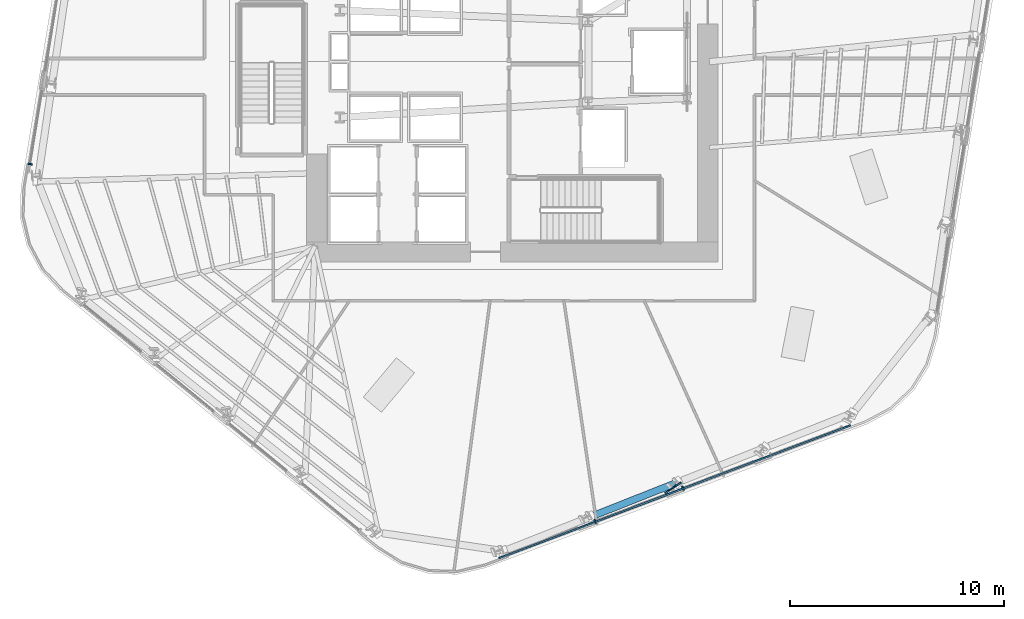
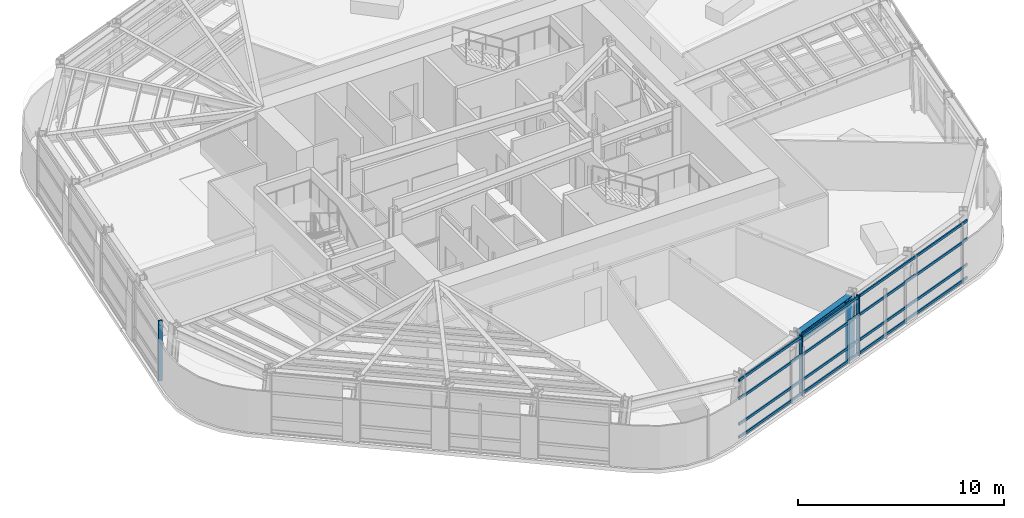
# One storey, part 3 of 18: 8 members, 1 beam, 2 elements without a shape of their own.
"""IFC4 building model written with IfcOpenShell, lengths in metres."""

from ifc_helpers import new_model, si_unit, direction, frame, origin, origin_2d, place, context, subcontext, project, spatial, rectangle, i_section, extrude, material, layer, layer_set, material_profile, profile_set, type_object, element, aggregate, save


model = new_model("IFC4")

# Units and contexts
model_context = context("Model", 3, precision=1e-05, world=origin(), true_north=direction((0.0, 1.0)))
body_context = subcontext(model_context, "Body", "Model", "MODEL_VIEW")
ifc_project = project(units=[si_unit("LENGTHUNIT", "METRE"), si_unit("AREAUNIT", "SQUARE_METRE"), si_unit("VOLUMEUNIT", "CUBIC_METRE"), si_unit("PLANEANGLEUNIT", "RADIAN"), si_unit("MASSUNIT", "GRAM", prefix="KILO")], contexts=[model_context])

# Site, building, storey
site_placement = place(None, origin())
site = spatial("IfcSite", under=ifc_project, at=site_placement, CompositionType="ELEMENT")
building_placement = place(site_placement, origin())
building = spatial("IfcBuilding", under=site, at=building_placement, Name="Valkerne Bourse Tower", CompositionType="ELEMENT")
storey_placement = place(building_placement, frame((0.0, 0.0, 112.39990234375)))
storey = spatial("IfcBuildingStorey", under=building, at=storey_placement, Name="L28", CompositionType="ELEMENT", Elevation=112.39990234375)

# Beam
ifc_material_1 = material(Name="Steel ASTM A992", Category="steel")
ifc_material_profile_1 = material_profile(ifc_material_1, i_section(OverallWidth=0.330078125, OverallDepth=0.647705078125, WebThickness=0.0205078125, FlangeThickness=0.037109375, FilletRadius=0.020263671875, at=origin_2d()), Name="W24X192")
ifc_profile_set_1 = profile_set([ifc_material_profile_1], Name="Steel ASTM A992")
beam_type = type_object("IfcBeamType", Name="BM-W24X192", PredefinedType="SPANDREL", material=ifc_profile_set_1)
beam_placement = place(storey_placement, frame((50.645751953125, 5.84228515625, 3.25634765625), z_axis=(0.929778626164, 0.368119146918, 0.0), x_axis=(-0.368119146918, 0.929778626164, 0.0)))
element("IfcBeam", 1, at=beam_placement, inside=storey, type_object=beam_type, Name="L28 Hexagonal Spandrel Ring Beam 21", PredefinedType="SPANDREL", context=body_context, shape_type="SweptSolid", body=[
    extrude(i_section(OverallWidth=0.330078125, OverallDepth=0.647705078125, WebThickness=0.0205078125, FlangeThickness=0.037109375, FilletRadius=0.020263671875, at=origin_2d()), origin(), (0.0, 0.0, 1.0), 4.04296875),
])

# Curtain wall, member
ifc_material_2 = material(Name="Aluminium AA 6063-T6", Category="aluminium")
ifc_layer = layer(ifc_material_2, 0.22998046875)
ifc_layer_set = layer_set([ifc_layer], Name="Aluminium AA 6063-T6")
curtain_wall_type = type_object("IfcCurtainWallType", Name="CW-02", PredefinedType="NOTDEFINED", material=ifc_layer_set)
curtain_wall_1_placement = place(storey_placement, origin())
curtain_wall_1 = element("IfcCurtainWall", 2, at=curtain_wall_1_placement, inside=storey, type_object=curtain_wall_type, Name="L28 Hexagonal Stick Curtain Wall Face 3", PredefinedType="NOTDEFINED")
ifc_material_profile_2 = material_profile(ifc_material_2, rectangle(XDim=0.074951171875, YDim=0.199951171875, at=origin_2d()), Name="CWM-75X200")
ifc_profile_set_2 = profile_set([ifc_material_profile_2], Name="Aluminium AA 6063-T6")
member_type_1 = type_object("IfcMemberType", Name="CW-MUL-220X75", PredefinedType="MULLION", material=ifc_profile_set_2)
member_1_placement = place(storey_placement, frame((24.30517578125, 22.2265625, 0.0), z_axis=(0.0, 0.0, 1.0), x_axis=(-0.16162350442, -0.986852492939, 0.0)))
member_1 = element("IfcMember", 3, at=member_1_placement, type_object=member_type_1, Name="CW-L28-F3 Jamb Mullion 03B", PredefinedType="MULLION", context=body_context, shape_type="SweptSolid", body=[
    extrude(rectangle(XDim=0.074951171875, YDim=0.199951171875, at=origin_2d()), origin(), (0.0, 0.0, 1.0), 3.580078125),
])
aggregate(curtain_wall_1, [member_1])

# Curtain wall, members
curtain_wall_2_placement = place(storey_placement, origin())
curtain_wall_2 = element("IfcCurtainWall", 4, at=curtain_wall_2_placement, inside=storey, type_object=curtain_wall_type, Name="L28 Hexagonal Stick Curtain Wall Face 5", PredefinedType="NOTDEFINED")
member_2_placement = place(storey_placement, frame((50.6669921875, 5.5546875, 0.0), z_axis=(0.0, 0.0, 1.0), x_axis=(0.935443931634, 0.353475106294, 0.0)))
member_2 = element("IfcMember", 5, at=member_2_placement, type_object=member_type_1, Name="CW-L28-F5 Jamb Mullion 01A", PredefinedType="MULLION", context=body_context, shape_type="SweptSolid", body=[
    extrude(rectangle(XDim=0.074951171875, YDim=0.199951171875, at=origin_2d()), origin(), (0.0, 0.0, 1.0), 3.580078125),
])
member_3_placement = place(storey_placement, frame((54.76708984375, 7.10400390625, 0.0), z_axis=(0.0, 0.0, 1.0), x_axis=(0.935441080916, 0.353482650402, 0.0)))
member_3 = element("IfcMember", 6, at=member_3_placement, type_object=member_type_1, Name="CW-L28-F5 Jamb Mullion 02A", PredefinedType="MULLION", context=body_context, shape_type="SweptSolid", body=[
    extrude(rectangle(XDim=0.074951171875, YDim=0.199951171875, at=origin_2d()), origin(), (0.0, 0.0, 1.0), 3.580078125),
])
ifc_material_profile_3 = material_profile(ifc_material_2, rectangle(XDim=0.074951171875, YDim=0.14990234375, at=origin_2d()), Name="CWT-75X150")
ifc_profile_set_3 = profile_set([ifc_material_profile_3], Name="Aluminium AA 6063-T6")
member_type_2 = type_object("IfcMemberType", Name="CW-TRN-180X65", PredefinedType="USERDEFINED", material=ifc_profile_set_3)
member_4_placement = place(storey_placement, frame((46.18115234375, 3.83837890625, 0.1201171875), z_axis=(0.935445491747, 0.353470977551, 0.0), x_axis=(-0.353470977551, 0.935445491747, 0.0)))
member_4 = element("IfcMember", 7, at=member_4_placement, type_object=member_type_2, Name="CW-L28-F5 Continuous Face Transom 1", ObjectType="TRANSOM", PredefinedType="USERDEFINED", context=body_context, shape_type="SweptSolid", body=[
    extrude(rectangle(XDim=0.074951171875, YDim=0.14990234375, at=origin_2d()), origin(), (0.0, 0.0, 1.0), 17.531982421875),
])
member_5_placement = place(storey_placement, frame((46.18115234375, 3.83837890625, 0.900146484375), z_axis=(0.935445491747, 0.353470977551, 0.0), x_axis=(-0.353470977551, 0.935445491747, 0.0)))
member_5 = element("IfcMember", 8, at=member_5_placement, type_object=member_type_2, Name="CW-L28-F5 Continuous Face Transom 2", ObjectType="TRANSOM", PredefinedType="USERDEFINED", context=body_context, shape_type="SweptSolid", body=[
    extrude(rectangle(XDim=0.074951171875, YDim=0.14990234375, at=origin_2d()), origin(), (0.0, 0.0, 1.0), 17.531982421875),
])
member_6_placement = place(storey_placement, frame((46.18115234375, 3.83837890625, 2.400146484375), z_axis=(0.935445491747, 0.353470977551, 0.0), x_axis=(-0.353470977551, 0.935445491747, 0.0)))
member_6 = element("IfcMember", 9, at=member_6_placement, type_object=member_type_2, Name="CW-L28-F5 Continuous Face Transom 3", ObjectType="TRANSOM", PredefinedType="USERDEFINED", context=body_context, shape_type="SweptSolid", body=[
    extrude(rectangle(XDim=0.074951171875, YDim=0.14990234375, at=origin_2d()), origin(), (0.0, 0.0, 1.0), 17.531982421875),
])
member_7_placement = place(storey_placement, frame((46.18115234375, 3.83837890625, 3.5), z_axis=(0.935445491747, 0.353470977551, 0.0), x_axis=(-0.353470977551, 0.935445491747, 0.0)))
member_7 = element("IfcMember", 10, at=member_7_placement, type_object=member_type_2, Name="CW-L28-F5 Continuous Face Transom 4", ObjectType="TRANSOM", PredefinedType="USERDEFINED", context=body_context, shape_type="SweptSolid", body=[
    extrude(rectangle(XDim=0.074951171875, YDim=0.14990234375, at=origin_2d()), origin(), (0.0, 0.0, 1.0), 17.531982421875),
])
aggregate(curtain_wall_2, [member_4, member_5, member_6, member_7, member_2, member_3])

# Member
ifc_material_3 = material(Name="Bronze Anodised Aluminium AA 6063-T6", Category="aluminium")
ifc_material_profile_4 = material_profile(ifc_material_3, rectangle(XDim=0.070068359375, YDim=0.89990234375, at=origin_2d()), Name="FIN-70X900")
ifc_profile_set_4 = profile_set([ifc_material_profile_4], Name="Bronze Anodised Aluminium AA 6063-T6")
member_type_3 = type_object("IfcMemberType", Name="FIN-SOLAR-900", PredefinedType="USERDEFINED", material=ifc_profile_set_4)
member_8_placement = place(storey_placement, frame((54.310546875, 7.123779296875, 0.004150390625), z_axis=(0.0, 0.0, 1.0), x_axis=(0.546703808299, -0.837326069098, 0.0)))
element("IfcMember", 11, at=member_8_placement, inside=storey, type_object=member_type_3, Name="L28 Bronze Anodised Solar Fin F5-02", ObjectType="SOLAR_FIN", PredefinedType="USERDEFINED", context=body_context, shape_type="SweptSolid", body=[
    extrude(rectangle(XDim=0.070068359375, YDim=0.89990234375, at=origin_2d()), origin(), (0.0, 0.0, 1.0), 3.572021484375),
])

save(model, "model.ifc")
